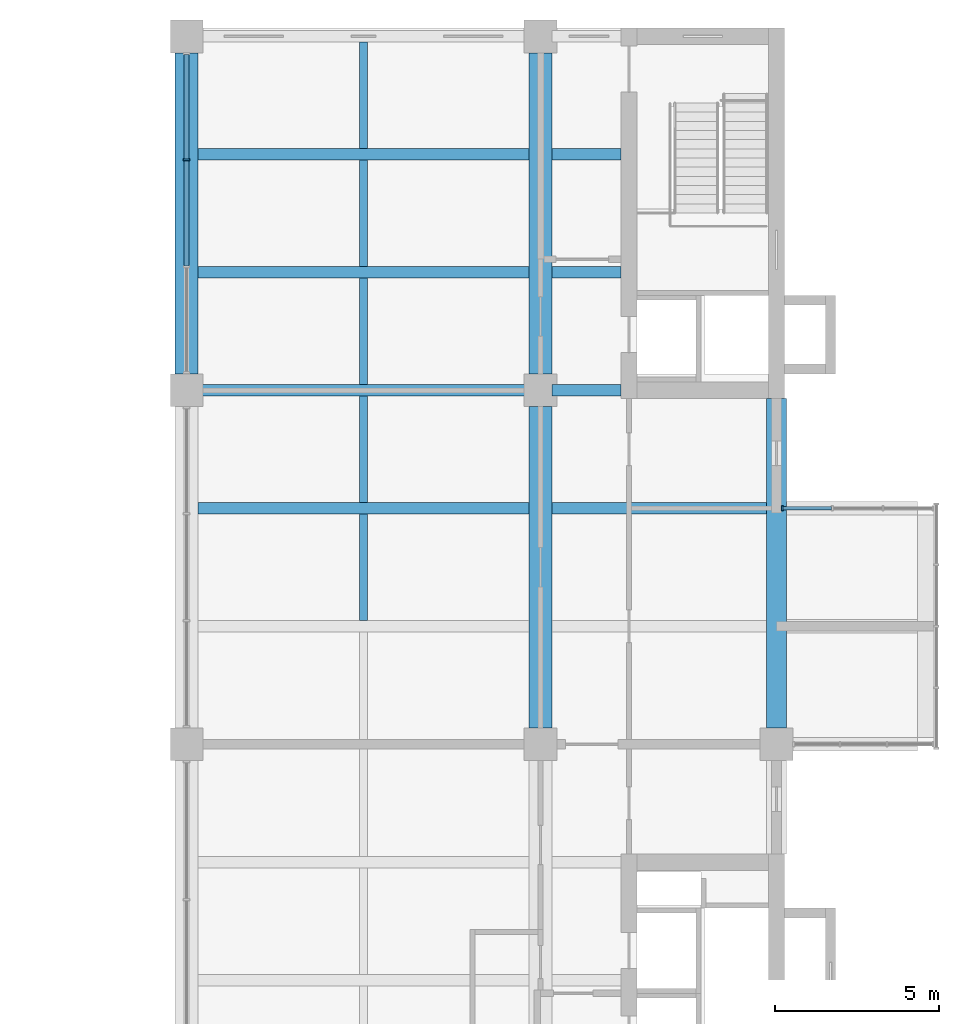
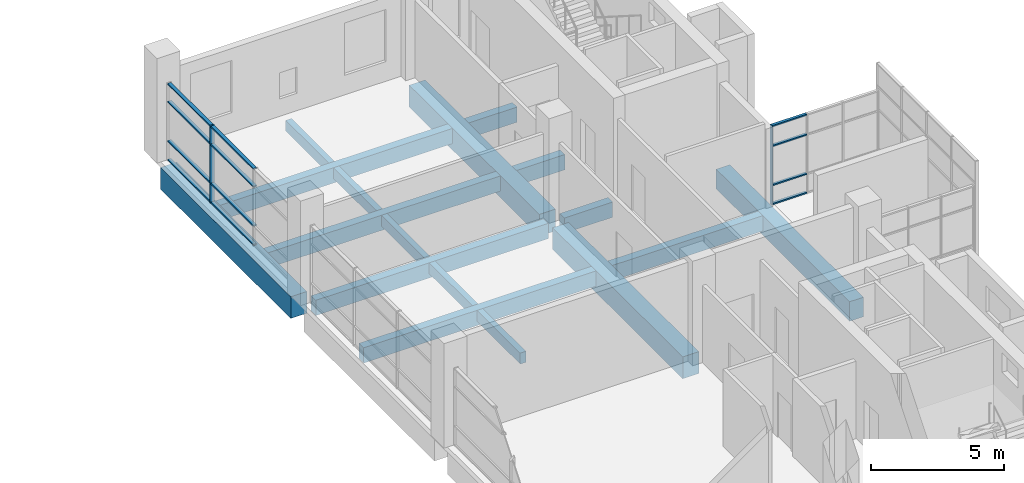
# One storey, part 15 of 35: 17 beams, 14 members, 2 elements without a shape of their own.
"""IFC4 building model written with IfcOpenShell, lengths in metres."""

from ifc_helpers import new_model, si_unit, direction, frame, origin, origin_2d, place, context, subcontext, project, spatial, rectangle, extrude, material, layer, layer_set, material_profile, profile_set, type_object, element, aggregate, save


model = new_model("IFC4")

# Units and contexts
model_context = context("Model", 3, precision=1e-05, world=origin(), true_north=direction((0.0, 1.0)))
body_context = subcontext(model_context, "Body", "Model", "MODEL_VIEW")
ifc_project = project(units=[si_unit("LENGTHUNIT", "METRE"), si_unit("AREAUNIT", "SQUARE_METRE"), si_unit("VOLUMEUNIT", "CUBIC_METRE"), si_unit("PLANEANGLEUNIT", "RADIAN"), si_unit("MASSUNIT", "GRAM", prefix="KILO")], contexts=[model_context])

# Site, building, storey
site_placement = place(None, origin())
site = spatial("IfcSite", under=ifc_project, at=site_placement, CompositionType="ELEMENT")
building_placement = place(site_placement, origin())
building = spatial("IfcBuilding", under=site, at=building_placement, Name="Basin Gate Institute", CompositionType="ELEMENT")
storey_placement = place(building_placement, frame((0.0, 0.0, 31.800048828125)))
storey = spatial("IfcBuildingStorey", under=building, at=storey_placement, Name="L06", CompositionType="ELEMENT", Elevation=31.800048828125)

# Beams
ifc_material_1 = material(Name="Concrete 40 MPa", Category="concrete")
ifc_material_profile_1 = material_profile(ifc_material_1, rectangle(XDim=0.35009765625, YDim=0.699951171875, at=origin_2d()), Name="Beam B1 350 x 700")
ifc_profile_set_1 = profile_set([ifc_material_profile_1], Name="Concrete 40 MPa")
beam_type_1 = type_object("IfcBeamType", Name="Beam B1 R120", PredefinedType="BEAM", material=ifc_profile_set_1)
beam_1_placement = place(storey_placement, frame((111.25, 85.5, -0.60009765625), z_axis=(-1.0, 0.0, 0.0), x_axis=(0.0, -1.0, 0.0)))
element("IfcBeam", 1, at=beam_1_placement, inside=storey, type_object=beam_type_1, material=ifc_profile_set_1, Name="BEAM/L06/E/EW/15", PredefinedType="BEAM", context=body_context, shape_type="SweptSolid", body=[
    extrude(rectangle(XDim=0.35009765625, YDim=0.699951171875, at=origin_2d()), origin(), (0.0, 0.0, 1.0), 10.10009765625),
])
beam_2_placement = place(storey_placement, frame((118.5, 85.5, -0.60009765625), z_axis=(-1.0, 0.0, 0.0), x_axis=(0.0, -1.0, 0.0)))
element("IfcBeam", 2, at=beam_2_placement, inside=storey, type_object=beam_type_1, material=ifc_profile_set_1, Name="BEAM/L06/E/OUT/15", PredefinedType="BEAM", context=body_context, shape_type="SweptSolid", body=[
    extrude(rectangle(XDim=0.35009765625, YDim=0.699951171875, at=origin_2d()), origin(), (0.0, 0.0, 1.0), 6.550048828125),
])
beam_3_placement = place(storey_placement, frame((111.25, 89.10009765625, -0.60009765625), z_axis=(-1.0, 0.0, 0.0), x_axis=(0.0, -1.0, 0.0)))
element("IfcBeam", 3, at=beam_3_placement, inside=storey, type_object=beam_type_1, material=ifc_profile_set_1, Name="BEAM/L06/E/EW/16", PredefinedType="BEAM", context=body_context, shape_type="SweptSolid", body=[
    extrude(rectangle(XDim=0.35009765625, YDim=0.699951171875, at=origin_2d()), origin(), (0.0, 0.0, 1.0), 10.10009765625),
])
beam_4_placement = place(storey_placement, frame((114.050048828125, 89.10009765625, -0.60009765625), z_axis=(-1.0, 0.0, 0.0), x_axis=(0.0, -1.0, 0.0)))
element("IfcBeam", 4, at=beam_4_placement, inside=storey, type_object=beam_type_1, material=ifc_profile_set_1, Name="BEAM/L06/E/CORR/16", PredefinedType="BEAM", context=body_context, shape_type="SweptSolid", body=[
    extrude(rectangle(XDim=0.35009765625, YDim=0.699951171875, at=origin_2d()), origin(), (0.0, 0.0, 1.0), 2.10009765625),
])
beam_5_placement = place(storey_placement, frame((111.25, 92.699951171875, -0.60009765625), z_axis=(-1.0, 0.0, 0.0), x_axis=(0.0, -1.0, 0.0)))
element("IfcBeam", 5, at=beam_5_placement, inside=storey, type_object=beam_type_1, material=ifc_profile_set_1, Name="BEAM/L06/E/EW/17", PredefinedType="BEAM", context=body_context, shape_type="SweptSolid", body=[
    extrude(rectangle(XDim=0.35009765625, YDim=0.699951171875, at=origin_2d()), origin(), (0.0, 0.0, 1.0), 10.10009765625),
])
beam_6_placement = place(storey_placement, frame((114.050048828125, 92.699951171875, -0.60009765625), z_axis=(-1.0, 0.0, 0.0), x_axis=(0.0, -1.0, 0.0)))
element("IfcBeam", 6, at=beam_6_placement, inside=storey, type_object=beam_type_1, material=ifc_profile_set_1, Name="BEAM/L06/E/CORR/17", PredefinedType="BEAM", context=body_context, shape_type="SweptSolid", body=[
    extrude(rectangle(XDim=0.35009765625, YDim=0.699951171875, at=origin_2d()), origin(), (0.0, 0.0, 1.0), 2.10009765625),
])
beam_7_placement = place(storey_placement, frame((111.25, 96.300048828125, -0.60009765625), z_axis=(-1.0, 0.0, 0.0), x_axis=(0.0, -1.0, 0.0)))
element("IfcBeam", 7, at=beam_7_placement, inside=storey, type_object=beam_type_1, material=ifc_profile_set_1, Name="BEAM/L06/E/EW/18", PredefinedType="BEAM", context=body_context, shape_type="SweptSolid", body=[
    extrude(rectangle(XDim=0.35009765625, YDim=0.699951171875, at=origin_2d()), origin(), (0.0, 0.0, 1.0), 10.10009765625),
])
beam_8_placement = place(storey_placement, frame((114.050048828125, 96.300048828125, -0.60009765625), z_axis=(-1.0, 0.0, 0.0), x_axis=(0.0, -1.0, 0.0)))
element("IfcBeam", 8, at=beam_8_placement, inside=storey, type_object=beam_type_1, material=ifc_profile_set_1, Name="BEAM/L06/E/CORR/18", PredefinedType="BEAM", context=body_context, shape_type="SweptSolid", body=[
    extrude(rectangle(XDim=0.35009765625, YDim=0.699951171875, at=origin_2d()), origin(), (0.0, 0.0, 1.0), 2.10009765625),
])
ifc_material_2 = material(Name="Concrete 50 MPa", Category="concrete")
ifc_material_profile_2 = material_profile(ifc_material_2, rectangle(XDim=0.60009765625, YDim=0.89990234375, at=origin_2d()), Name="Edge beam EB1 600 x 900")
ifc_profile_set_2 = profile_set([ifc_material_profile_2], Name="Concrete 50 MPa")
beam_type_2 = type_object("IfcBeamType", Name="Edge beam EB1 R120", PredefinedType="SPANDREL", material=ifc_profile_set_2)
beam_9_placement = place(storey_placement, frame((118.800048828125, 78.800048828125, -0.699951171875), z_axis=(0.0, 1.0, 0.0), x_axis=(-1.0, 0.0, 0.0)))
element("IfcBeam", 9, at=beam_9_placement, inside=storey, type_object=beam_type_2, material=ifc_profile_set_2, Name="BEAM/L06/E/EDGE/4", PredefinedType="SPANDREL", context=body_context, shape_type="SweptSolid", body=[
    extrude(rectangle(XDim=0.60009765625, YDim=0.89990234375, at=origin_2d()), origin(), (0.0, 0.0, 1.0), 10.050048828125),
])
ifc_material_3 = material(Name="Concrete 50 MPa", Category="concrete")
ifc_material_profile_3 = material_profile(ifc_material_3, rectangle(XDim=0.699951171875, YDim=1.0, at=origin_2d()), Name="Girder G1 700 x 1000")
ifc_profile_set_3 = profile_set([ifc_material_profile_3], Name="Concrete 50 MPa")
beam_type_3 = type_object("IfcBeamType", Name="Girder G1 R120", PredefinedType="BEAM", material=ifc_profile_set_3)
beam_10_placement = place(storey_placement, frame((111.60009765625, 78.800048828125, -0.75), z_axis=(0.0, 1.0, 0.0), x_axis=(-1.0, 0.0, 0.0)))
element("IfcBeam", 10, at=beam_10_placement, inside=storey, type_object=beam_type_3, material=ifc_profile_set_3, Name="GIR/L06/E8/5", PredefinedType="BEAM", context=body_context, shape_type="SweptSolid", body=[
    extrude(rectangle(XDim=0.699951171875, YDim=1.0, at=origin_2d()), origin(), (0.0, 0.0, 1.0), 9.800048828125),
])
for number, where, z_axis, x_axis, name in (
    (11, (111.60009765625, 89.60009765625, -0.75), (0.0, 1.0, 0.0), (-1.0, 0.0, 0.0), "GIR/L06/E8/6"),
    (12, (100.800048828125, 89.60009765625, -0.75), (0.0, 1.0, 0.0), (-1.0, 0.0, 0.0), "GIR/L06/E7/6"),
):
    element("IfcBeam", number, at=place(storey_placement, frame(where, z_axis=z_axis, x_axis=x_axis)), inside=storey, type_object=beam_type_3, material=ifc_profile_set_3, Name=name, PredefinedType="BEAM", context=body_context, shape_type="SweptSolid", body=[
        extrude(rectangle(XDim=0.699951171875, YDim=1.0, at=origin_2d()), origin(), (0.0, 0.0, 1.0), 9.7998046875),
    ])

# Curtain wall, member
ifc_material_4 = material(Name="Aluminium-framed glazing", Category="aluminium")
ifc_layer_1 = layer(ifc_material_4, 0.14990234375)
ifc_layer_set_1 = layer_set([ifc_layer_1], Name="Capsule front curtain wall CW1")
curtain_wall_type_1 = type_object("IfcCurtainWallType", Name="Capsule front curtain wall CW1", PredefinedType="NOTDEFINED", material=ifc_layer_set_1)
curtain_wall_1_placement = place(storey_placement, origin())
curtain_wall_1 = element("IfcCurtainWall", 13, at=curtain_wall_1_placement, inside=storey, type_object=curtain_wall_type_1, material=ifc_layer_set_1, Name="Capsule front curtain wall E wing capsule end L06 line 15", PredefinedType="NOTDEFINED")
ifc_material_5 = material(Name="Aluminium", Category="aluminium")
ifc_material_profile_4 = material_profile(ifc_material_5, rectangle(XDim=0.14990234375, YDim=0.050048828125, at=origin_2d()), Name="Mullion MU1 150 x 50")
ifc_profile_set_4 = profile_set([ifc_material_profile_4], Name="Aluminium")
member_type_1 = type_object("IfcMemberType", Name="Mullion MU1", PredefinedType="MULLION", material=ifc_profile_set_4)
member_1_placement = place(storey_placement, frame((118.97509765625, 85.5, 0.0), z_axis=(0.0, 0.0, 1.0), x_axis=(0.0, -1.0, 0.0)))
member_1 = element("IfcMember", 14, at=member_1_placement, type_object=member_type_1, material=ifc_profile_set_4, Name="CW1 mullion 4", PredefinedType="MULLION", context=body_context, shape_type="SweptSolid", body=[
    extrude(rectangle(XDim=0.14990234375, YDim=0.050048828125, at=origin_2d()), origin(), (0.0, 0.0, 1.0), 3.64990234375),
])

ifc_material_6 = material(Name="Aluminium-framed glazing", Category="aluminium")
ifc_layer_2 = layer(ifc_material_6, 0.199951171875)
ifc_layer_set_2 = layer_set([ifc_layer_2], Name="Atrium curtain wall CW2")
curtain_wall_type_2 = type_object("IfcCurtainWallType", Name="Atrium curtain wall CW2", PredefinedType="NOTDEFINED", material=ifc_layer_set_2)
curtain_wall_2_placement = place(storey_placement, origin())
curtain_wall_2 = element("IfcCurtainWall", 15, at=curtain_wall_2_placement, inside=storey, type_object=curtain_wall_type_2, material=ifc_layer_set_2, Name="Atrium curtain wall E wing atrium bay 6 L06", PredefinedType="NOTDEFINED")
ifc_material_7 = material(Name="Aluminium", Category="aluminium")
ifc_material_profile_5 = material_profile(ifc_material_7, rectangle(XDim=0.199951171875, YDim=0.06005859375, at=origin_2d()), Name="Mullion MU2 200 x 60")
ifc_profile_set_5 = profile_set([ifc_material_profile_5], Name="Aluminium")
member_type_2 = type_object("IfcMemberType", Name="Mullion MU2", PredefinedType="MULLION", material=ifc_profile_set_5)
member_2_placement = place(storey_placement, frame((100.800048828125, 96.13330078125, 0.0), z_axis=(0.0, 0.0, 1.0), x_axis=(-1.0, 0.0, 0.0)))
member_2 = element("IfcMember", 16, at=member_2_placement, type_object=member_type_2, material=ifc_profile_set_5, Name="CW2 mullion 3", PredefinedType="MULLION", context=body_context, shape_type="SweptSolid", body=[
    extrude(rectangle(XDim=0.199951171875, YDim=0.06005859375, at=origin_2d()), origin(), (0.0, 0.0, 1.0), 3.550048828125),
])

# Beams
ifc_material_8 = material(Name="Concrete 40 MPa", Category="concrete")
ifc_material_profile_6 = material_profile(ifc_material_8, rectangle(XDim=0.25, YDim=0.5, at=origin_2d()), Name="Rib R1 250 x 500")
ifc_profile_set_6 = profile_set([ifc_material_profile_6], Name="Concrete 40 MPa")
beam_type_4 = type_object("IfcBeamType", Name="Rib R1 R120", PredefinedType="JOIST", material=ifc_profile_set_6)
for number, where, z_axis, x_axis, name in (
    (17, (106.199951171875, 82.074951171875, -0.5), (0.0, 1.0, 0.0), (-1.0, 0.0, 0.0), "BEAM/L06/E/RIB/14"),
    (18, (106.199951171875, 85.675048828125, -0.5), (0.0, 1.0, 0.0), (-1.0, 0.0, 0.0), "BEAM/L06/E/RIB/15"),
    (19, (106.199951171875, 89.27490234375, -0.5), (0.0, 1.0, 0.0), (-1.0, 0.0, 0.0), "BEAM/L06/E/RIB/16"),
    (20, (106.199951171875, 92.875, -0.5), (0.0, 1.0, 0.0), (-1.0, 0.0, 0.0), "BEAM/L06/E/RIB/17"),
    (21, (106.199951171875, 96.47509765625, -0.5), (0.0, 1.0, 0.0), (-1.0, 0.0, 0.0), "BEAM/L06/E/RIB/18"),
):
    element("IfcBeam", number, at=place(storey_placement, frame(where, z_axis=z_axis, x_axis=x_axis)), inside=storey, type_object=beam_type_4, material=ifc_profile_set_6, Name=name, PredefinedType="JOIST", context=body_context, shape_type="SweptSolid", body=[
        extrude(rectangle(XDim=0.25, YDim=0.5, at=origin_2d()), origin(), (0.0, 0.0, 1.0), 3.25),
    ])

# Member
ifc_material_9 = material(Name="Aluminium", Category="aluminium")
ifc_material_profile_7 = material_profile(ifc_material_9, rectangle(XDim=0.1201171875, YDim=0.06005859375, at=origin_2d()), Name="Transom TR1 120 x 60")
ifc_profile_set_7 = profile_set([ifc_material_profile_7], Name="Aluminium")
member_type_3 = type_object("IfcMemberType", Name="Transom TR1", PredefinedType="USERDEFINED", material=ifc_profile_set_7)
member_3_placement = place(storey_placement, frame((120.47509765625, 85.5, 0.030029296875), z_axis=(-1.0, 0.0, 0.0), x_axis=(0.0, -1.0, 0.0)))
member_3 = element("IfcMember", 22, at=member_3_placement, type_object=member_type_3, material=ifc_profile_set_7, Name="CW1 transom 3.1", ObjectType="TRANSOM", PredefinedType="USERDEFINED", context=body_context, shape_type="SweptSolid", body=[
    extrude(rectangle(XDim=0.1201171875, YDim=0.06005859375, at=origin_2d()), origin(), (0.0, 0.0, 1.0), 1.47509765625),
])

member_4_placement = place(storey_placement, frame((120.47509765625, 85.5, 0.89990234375), z_axis=(-1.0, 0.0, 0.0), x_axis=(0.0, -1.0, 0.0)))
member_4 = element("IfcMember", 23, at=member_4_placement, type_object=member_type_3, material=ifc_profile_set_7, Name="CW1 transom 3.2", ObjectType="TRANSOM", PredefinedType="USERDEFINED", context=body_context, shape_type="SweptSolid", body=[
    extrude(rectangle(XDim=0.1201171875, YDim=0.06005859375, at=origin_2d()), origin(), (0.0, 0.0, 1.0), 1.47509765625),
])

member_5_placement = place(storey_placement, frame((120.47509765625, 85.5, 2.699951171875), z_axis=(-1.0, 0.0, 0.0), x_axis=(0.0, -1.0, 0.0)))
member_5 = element("IfcMember", 24, at=member_5_placement, type_object=member_type_3, material=ifc_profile_set_7, Name="CW1 transom 3.3", ObjectType="TRANSOM", PredefinedType="USERDEFINED", context=body_context, shape_type="SweptSolid", body=[
    extrude(rectangle(XDim=0.1201171875, YDim=0.06005859375, at=origin_2d()), origin(), (0.0, 0.0, 1.0), 1.47509765625),
])

member_6_placement = place(storey_placement, frame((120.47509765625, 85.5, 3.619873046875), z_axis=(-1.0, 0.0, 0.0), x_axis=(0.0, -1.0, 0.0)))
member_6 = element("IfcMember", 25, at=member_6_placement, type_object=member_type_3, material=ifc_profile_set_7, Name="CW1 transom 3.4", ObjectType="TRANSOM", PredefinedType="USERDEFINED", context=body_context, shape_type="SweptSolid", body=[
    extrude(rectangle(XDim=0.1201171875, YDim=0.06005859375, at=origin_2d()), origin(), (0.0, 0.0, 1.0), 1.47509765625),
])

aggregate(curtain_wall_1, [member_1, member_3, member_4, member_5, member_6])

ifc_material_10 = material(Name="Aluminium", Category="aluminium")
ifc_material_profile_8 = material_profile(ifc_material_10, rectangle(XDim=0.14990234375, YDim=0.06005859375, at=origin_2d()), Name="Transom TR2 150 x 60")
ifc_profile_set_8 = profile_set([ifc_material_profile_8], Name="Aluminium")
member_type_4 = type_object("IfcMemberType", Name="Transom TR2", PredefinedType="USERDEFINED", material=ifc_profile_set_8)
member_7_placement = place(storey_placement, frame((100.800048828125, 92.896728515625, 0.030029296875), z_axis=(0.0, 1.0, 0.0), x_axis=(-1.0, 0.0, 0.0)))
member_7 = element("IfcMember", 26, at=member_7_placement, type_object=member_type_4, material=ifc_profile_set_8, Name="CW2 transom 2.1", ObjectType="TRANSOM", PredefinedType="USERDEFINED", context=body_context, shape_type="SweptSolid", body=[
    extrude(rectangle(XDim=0.14990234375, YDim=0.06005859375, at=origin_2d()), origin(), (0.0, 0.0, 1.0), 3.20654296875),
])

member_8_placement = place(storey_placement, frame((100.800048828125, 92.896728515625, 0.89990234375), z_axis=(0.0, 1.0, 0.0), x_axis=(-1.0, 0.0, 0.0)))
member_8 = element("IfcMember", 27, at=member_8_placement, type_object=member_type_4, material=ifc_profile_set_8, Name="CW2 transom 2.2", ObjectType="TRANSOM", PredefinedType="USERDEFINED", context=body_context, shape_type="SweptSolid", body=[
    extrude(rectangle(XDim=0.14990234375, YDim=0.06005859375, at=origin_2d()), origin(), (0.0, 0.0, 1.0), 3.20654296875),
])

member_9_placement = place(storey_placement, frame((100.800048828125, 92.896728515625, 2.699951171875), z_axis=(0.0, 1.0, 0.0), x_axis=(-1.0, 0.0, 0.0)))
member_9 = element("IfcMember", 28, at=member_9_placement, type_object=member_type_4, material=ifc_profile_set_8, Name="CW2 transom 2.3", ObjectType="TRANSOM", PredefinedType="USERDEFINED", context=body_context, shape_type="SweptSolid", body=[
    extrude(rectangle(XDim=0.14990234375, YDim=0.06005859375, at=origin_2d()), origin(), (0.0, 0.0, 1.0), 3.20654296875),
])

member_10_placement = place(storey_placement, frame((100.800048828125, 92.896728515625, 3.52001953125), z_axis=(0.0, 1.0, 0.0), x_axis=(-1.0, 0.0, 0.0)))
member_10 = element("IfcMember", 29, at=member_10_placement, type_object=member_type_4, material=ifc_profile_set_8, Name="CW2 transom 2.4", ObjectType="TRANSOM", PredefinedType="USERDEFINED", context=body_context, shape_type="SweptSolid", body=[
    extrude(rectangle(XDim=0.14990234375, YDim=0.06005859375, at=origin_2d()), origin(), (0.0, 0.0, 1.0), 3.20654296875),
])

member_11_placement = place(storey_placement, frame((100.800048828125, 96.163330078125, 0.030029296875), z_axis=(0.0, 1.0, 0.0), x_axis=(-1.0, 0.0, 0.0)))
member_11 = element("IfcMember", 30, at=member_11_placement, type_object=member_type_4, material=ifc_profile_set_8, Name="CW2 transom 3.1", ObjectType="TRANSOM", PredefinedType="USERDEFINED", context=body_context, shape_type="SweptSolid", body=[
    extrude(rectangle(XDim=0.14990234375, YDim=0.06005859375, at=origin_2d()), origin(), (0.0, 0.0, 1.0), 3.1767578125),
])

member_12_placement = place(storey_placement, frame((100.800048828125, 96.163330078125, 0.89990234375), z_axis=(0.0, 1.0, 0.0), x_axis=(-1.0, 0.0, 0.0)))
member_12 = element("IfcMember", 31, at=member_12_placement, type_object=member_type_4, material=ifc_profile_set_8, Name="CW2 transom 3.2", ObjectType="TRANSOM", PredefinedType="USERDEFINED", context=body_context, shape_type="SweptSolid", body=[
    extrude(rectangle(XDim=0.14990234375, YDim=0.06005859375, at=origin_2d()), origin(), (0.0, 0.0, 1.0), 3.1767578125),
])

member_13_placement = place(storey_placement, frame((100.800048828125, 96.163330078125, 2.699951171875), z_axis=(0.0, 1.0, 0.0), x_axis=(-1.0, 0.0, 0.0)))
member_13 = element("IfcMember", 32, at=member_13_placement, type_object=member_type_4, material=ifc_profile_set_8, Name="CW2 transom 3.3", ObjectType="TRANSOM", PredefinedType="USERDEFINED", context=body_context, shape_type="SweptSolid", body=[
    extrude(rectangle(XDim=0.14990234375, YDim=0.06005859375, at=origin_2d()), origin(), (0.0, 0.0, 1.0), 3.1767578125),
])

member_14_placement = place(storey_placement, frame((100.800048828125, 96.163330078125, 3.52001953125), z_axis=(0.0, 1.0, 0.0), x_axis=(-1.0, 0.0, 0.0)))
member_14 = element("IfcMember", 33, at=member_14_placement, type_object=member_type_4, material=ifc_profile_set_8, Name="CW2 transom 3.4", ObjectType="TRANSOM", PredefinedType="USERDEFINED", context=body_context, shape_type="SweptSolid", body=[
    extrude(rectangle(XDim=0.14990234375, YDim=0.06005859375, at=origin_2d()), origin(), (0.0, 0.0, 1.0), 3.1767578125),
])

aggregate(curtain_wall_2, [member_2, member_7, member_8, member_9, member_10, member_11, member_12, member_13, member_14])

save(model, "model.ifc")
